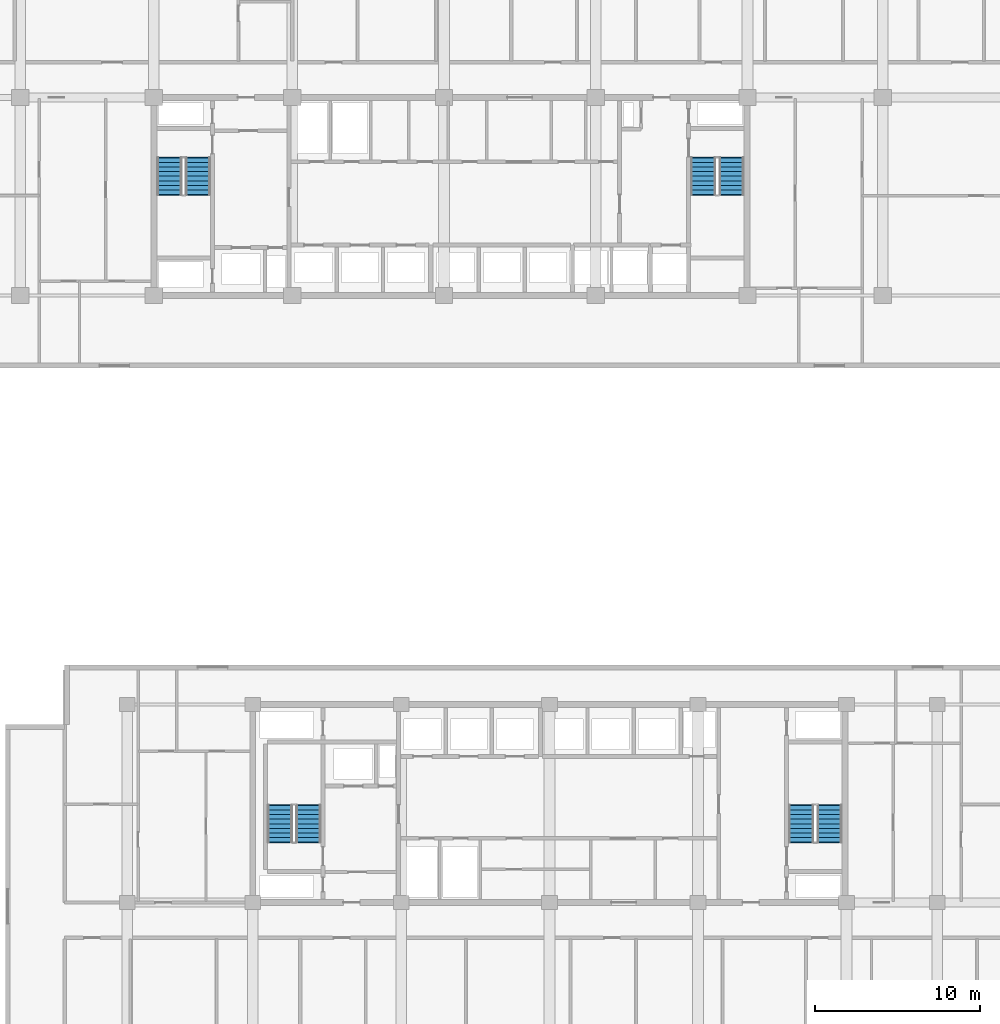
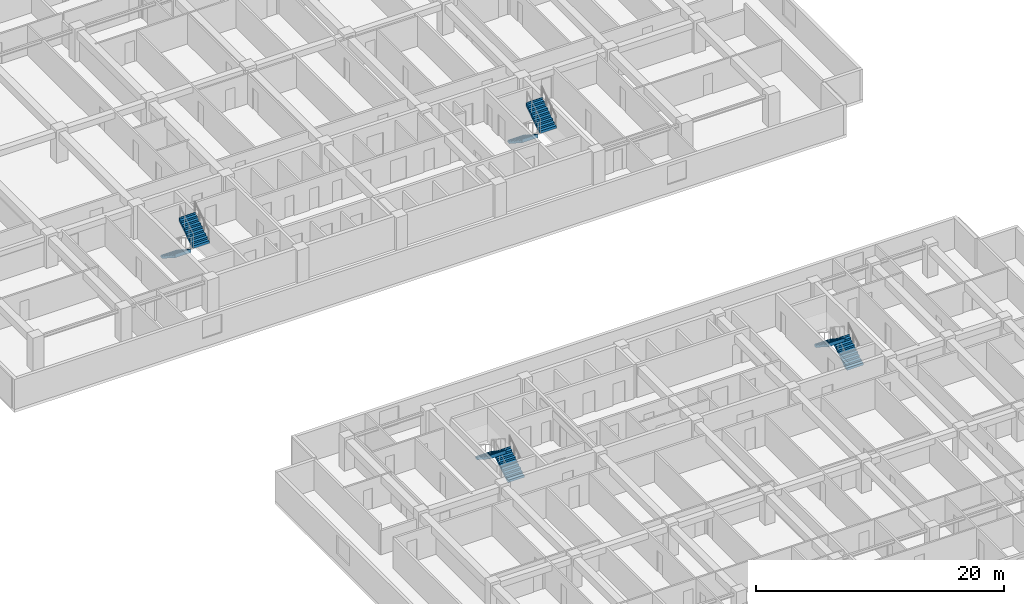
# One storey, part 18 of 23: 8 stair flights, 4 elements without a shape of their own.
"""IFC4 building model written with IfcOpenShell, lengths in metres."""

import ifcopenshell
import ifcopenshell.guid

model = None  # the IFC model being written
_history = None  # IfcOwnerHistory: only IFC2X3 demands one
_inside = {}  # id of a spatial element -> (the spatial element, [elements in it])
_under = {}  # id of a project, library or spatial element -> (it, [spatial elements below it])
_declared = {}  # id of a project -> (the project, [libraries it declares])
_typed = {}  # id of a type object -> (the type object, [elements of that type])
_made_of = {}  # id of a material, layer set ... -> (it, [elements and type objects made of it])


def new_model(schema):
    """Start an empty IFC model of exactly this schema.

    Asked for "IFC4X3", IfcOpenShell would pick the latest addendum, in which some entities
    have other attributes; the version numbers below select the first issue.
    IFC2X3 requires an IfcOwnerHistory on every rooted entity: one is made here for all.
    """
    global model, _history
    if schema == "IFC4X3":
        model = ifcopenshell.file(schema_version=(4, 3, 0, 0))
    else:
        model = ifcopenshell.file(schema=schema)
    _inside.clear()
    _under.clear()
    _declared.clear()
    _typed.clear()
    _made_of.clear()
    _history = None
    if model.schema == "IFC2X3":
        org = make("IfcOrganization", Name="unknown")
        user = make(
            "IfcPersonAndOrganization",
            ThePerson=make("IfcPerson", FamilyName="unknown"),
            TheOrganization=org,
        )
        app = make(
            "IfcApplication",
            ApplicationDeveloper=org,
            Version="unknown",
            ApplicationFullName="unknown",
            ApplicationIdentifier="unknown",
        )
        _history = make(
            "IfcOwnerHistory",
            OwningUser=user,
            OwningApplication=app,
            ChangeAction="ADDED",
            CreationDate=0,
        )
    return model


def make(cls, **values):
    """One entity of the class cls with the attributes given. An attribute that is None is left unset."""
    return model.create_entity(
        cls, **{name: value for name, value in values.items() if value is not None}
    )


def rooted(cls, **values):
    """An entity with a GlobalId (a new one), such as an element, a storey or a relation."""
    return make(cls, GlobalId=ifcopenshell.guid.new(), OwnerHistory=_history, **values)


def si_unit(unit_type, name, prefix=None):
    """IfcSIUnit, for example si_unit("LENGTHUNIT", "METRE", prefix="MILLI")."""
    return make("IfcSIUnit", UnitType=unit_type, Prefix=prefix, Name=name)


def assignment(units):
    """IfcUnitAssignment: the units of a project."""
    return None if units is None else make("IfcUnitAssignment", Units=units)


def point(xyz):
    """IfcCartesianPoint."""
    return None if xyz is None else make("IfcCartesianPoint", Coordinates=xyz)


def direction(xyz):
    """IfcDirection."""
    return None if xyz is None else make("IfcDirection", DirectionRatios=xyz)


def frame(location, z_axis=None, x_axis=None):
    """IfcAxis2Placement3D, a coordinate frame: its origin and axes. An axis left out is left unset."""
    return make(
        "IfcAxis2Placement3D",
        Location=point(location),
        Axis=direction(z_axis),
        RefDirection=direction(x_axis),
    )


def origin():
    """The frame at (0, 0, 0) with its axes left unset."""
    return frame((0.0, 0.0, 0.0))


def place(relative_to, where):
    """IfcLocalPlacement: puts the frame where relative to a parent placement (None: the world)."""
    return make(
        "IfcLocalPlacement", PlacementRelTo=relative_to, RelativePlacement=where
    )


def context(
    kind, dimensions, precision=None, world=None, true_north=None, identifier=None
):
    """IfcGeometricRepresentationContext, for example the 3D "Model" context."""
    return make(
        "IfcGeometricRepresentationContext",
        ContextIdentifier=identifier,
        ContextType=kind,
        CoordinateSpaceDimension=dimensions,
        Precision=precision,
        WorldCoordinateSystem=world,
        TrueNorth=true_north,
    )


def subcontext(parent, identifier, kind, view, scale=None):
    """IfcGeometricRepresentationSubContext, for example "Body" below "Model"."""
    return make(
        "IfcGeometricRepresentationSubContext",
        ContextIdentifier=identifier,
        ContextType=kind,
        ParentContext=parent,
        TargetScale=scale,
        TargetView=view,
    )


def project(units=None, contexts=None):
    """IfcProject with its units and contexts."""
    return rooted(
        "IfcProject",
        Name="project",
        RepresentationContexts=contexts,
        UnitsInContext=assignment(units),
    )


def spatial(cls, under=None, at=None, **own):
    """A site, building, storey or space (cls), placed at a placement, below another one or the project."""
    s = rooted(cls, ObjectPlacement=at, **own)
    if under is not None:
        _under.setdefault(under.id(), (under, []))[1].append(s)
    return s


def polyline(points):
    """IfcPolyline through the points."""
    return make("IfcPolyline", Points=[point(p) for p in points])


def outline(outer, holes=None, kind="AREA"):
    """IfcArbitraryClosedProfileDef: a profile drawn as a closed curve; with holes, ...WithVoids."""
    if holes is None:
        return make("IfcArbitraryClosedProfileDef", ProfileType=kind, OuterCurve=outer)
    return make(
        "IfcArbitraryProfileDefWithVoids",
        ProfileType=kind,
        OuterCurve=outer,
        InnerCurves=holes,
    )


def extrude(swept, where, along, depth):
    """IfcExtrudedAreaSolid: the profile swept, set in the frame where, extruded along a direction by depth."""
    return make(
        "IfcExtrudedAreaSolid",
        SweptArea=swept,
        Position=where,
        ExtrudedDirection=direction(along),
        Depth=depth,
    )


def shape(context_of_items, identifier, shape_type, items):
    """IfcShapeRepresentation: the items that make up one representation, for example the "Body"."""
    return make(
        "IfcShapeRepresentation",
        ContextOfItems=context_of_items,
        RepresentationIdentifier=identifier,
        RepresentationType=shape_type,
        Items=items,
    )


def material(Name=None, Category=None):
    """IfcMaterial."""
    return make("IfcMaterial", Name=Name, Category=Category)


def made_of(thing, what):
    """Note that an element or type object is made of a material, layer set ...; save() writes the relation."""
    if what is not None:
        _made_of.setdefault(what.id(), (what, []))[1].append(thing)
    return thing


def type_object(cls, material=None, **own):
    """A type object (cls), such as IfcWallType, which elements share."""
    return made_of(rooted(cls, **own), material)


def element(
    cls,
    number,
    at=None,
    inside=None,
    cuts=None,
    type_object=None,
    material=None,
    context=None,
    identifier="Body",
    shape_type=None,
    held_by="IfcProductDefinitionShape",
    body=None,
    shapes=None,
    **own,
):
    """One element of the class cls, such as IfcWall. Its Tag is "e" and its number.

    at: its placement. inside: the storey or other place that contains it. cuts: it is an
    opening in that element (IfcRelVoidsElement). A single representation is given by context,
    identifier, shape_type and body (its items); several are given by shapes. held_by: the class
    of the entity that holds the representations. save() writes the other relations.
    """
    e = rooted(cls, Tag="e%d" % number, ObjectPlacement=at, **own)
    if body is not None:
        shapes = [shape(context, identifier, shape_type, body)]
    if shapes is not None:
        e.Representation = make(held_by, Representations=shapes)
    if inside is not None:
        _inside.setdefault(inside.id(), (inside, []))[1].append(e)
    if cuts is not None:
        rooted(
            "IfcRelVoidsElement", RelatingBuildingElement=cuts, RelatedOpeningElement=e
        )
    if type_object is not None:
        _typed.setdefault(type_object.id(), (type_object, []))[1].append(e)
    return made_of(e, material)


def aggregate(whole, parts):
    """IfcRelAggregates: a whole, such as a stair, and the parts it consists of."""
    return rooted("IfcRelAggregates", RelatingObject=whole, RelatedObjects=parts)


def save(model, path):
    """Write the relations noted so far, then the file.

    IfcRelAggregates (storeys below a building ...), IfcRelContainedInSpatialStructure (elements
    in a storey), IfcRelDefinesByType, IfcRelAssociatesMaterial and IfcRelDeclares: one each for
    every whole, place, type object, material and project.
    """
    for whole, parts in _under.values():
        aggregate(whole, parts)
    for where, things in _inside.values():
        rooted(
            "IfcRelContainedInSpatialStructure",
            RelatedElements=things,
            RelatingStructure=where,
        )
    for kind, things in _typed.values():
        rooted("IfcRelDefinesByType", RelatedObjects=things, RelatingType=kind)
    for what, things in _made_of.values():
        rooted("IfcRelAssociatesMaterial", RelatedObjects=things, RelatingMaterial=what)
    for by, libraries in _declared.values():
        rooted("IfcRelDeclares", RelatingContext=by, RelatedDefinitions=libraries)
    model.write(path)


model = new_model("IFC4")

# Units and contexts
model_context = context("Model", 3, precision=1e-05, world=origin(), true_north=direction((0.0, 1.0)))
body_context = subcontext(model_context, "Body", "Model", "MODEL_VIEW")
ifc_project = project(units=[si_unit("LENGTHUNIT", "METRE"), si_unit("AREAUNIT", "SQUARE_METRE"), si_unit("VOLUMEUNIT", "CUBIC_METRE"), si_unit("PLANEANGLEUNIT", "RADIAN"), si_unit("MASSUNIT", "GRAM", prefix="KILO")], contexts=[model_context])

# Site, building, storey
site_placement = place(None, origin())
site = spatial("IfcSite", under=ifc_project, at=site_placement, CompositionType="ELEMENT")
building_placement = place(site_placement, origin())
building = spatial("IfcBuilding", under=site, at=building_placement, Name="Korimba Cascade Residences", CompositionType="ELEMENT")
storey_placement = place(building_placement, frame((0.0, 0.0, 40.25)))
storey = spatial("IfcBuildingStorey", under=building, at=storey_placement, Name="L10", CompositionType="ELEMENT", Elevation=40.25)

# Stair, stair flights
ifc_material = material(Name="Concrete C50/60", Category="concrete")
stair_type_1 = type_object("IfcStairType", Name="STR-W1-18R-1806", PredefinedType="HALF_TURN_STAIR", material=ifc_material)
stair_1_placement = place(storey_placement, origin())
stair_1 = element("IfcStair", 1, at=stair_1_placement, inside=storey, type_object=stair_type_1, Name="L10 Tower 1 West Fire Stair ST-W1", PredefinedType="HALF_TURN_STAIR")
stair_flight_type = type_object("IfcStairFlightType", Name="STF-DL-18R-1806-1520", PredefinedType="STRAIGHT", material=ifc_material)
stair_flight_1_placement = place(storey_placement, frame((77.06005859375, 63.550048828125, 0.0), z_axis=(0.0, 0.0, 1.0), x_axis=(0.0, -1.0, 0.0)))
stair_flight_1 = element("IfcStairFlight", 2, at=stair_flight_1_placement, type_object=stair_flight_type, Name="ST-W1 flight 1", NumberOfRisers=9, NumberOfTreads=8, PredefinedType="STRAIGHT", RiserHeight=0.180555556, TreadLength=0.28, context=body_context, shape_type="SweptSolid", body=[
    extrude(outline(polyline([(-0.0380859375, 0.0), (0.0, 0.1806640625), (0.280029296875, 0.1806640625), (0.280029296875, 0.361083984375), (0.56005859375, 0.361083984375), (0.56005859375, 0.541748046875), (0.840087890625, 0.541748046875), (0.840087890625, 0.72216796875), (1.1201171875, 0.72216796875), (1.1201171875, 0.90283203125), (1.39990234375, 0.90283203125), (1.39990234375, 1.083251953125), (1.679931640625, 1.083251953125), (1.679931640625, 1.263916015625), (1.9599609375, 1.263916015625), (1.9599609375, 1.4443359375), (2.239990234375, 1.4443359375), (2.239990234375, 1.625), (2.278076171875, 1.625), (2.278076171875, 1.26611328125), (0.276611328125, 0.0), (0.276611328125, -0.0380859375), (-0.0380859375, -0.0380859375), (-0.0380859375, 0.0)])), frame((0.0, 0.760009765625, 0.0), z_axis=(0.0, -1.0, 0.0), x_axis=(1.0, 0.0, 0.0)), (0.0, 0.0, 1.0), 1.52001953125),
])
stair_flight_2_placement = place(storey_placement, frame((78.780029296875, 61.31005859375, 1.625), z_axis=(0.0, 0.0, 1.0), x_axis=(0.0, 1.0, 0.0)))
stair_flight_2 = element("IfcStairFlight", 3, at=stair_flight_2_placement, type_object=stair_flight_type, Name="ST-W1 flight 2", NumberOfRisers=9, NumberOfTreads=8, PredefinedType="STRAIGHT", RiserHeight=0.180555556, TreadLength=0.28, context=body_context, shape_type="SweptSolid", body=[
    extrude(outline(polyline([(-0.0380859375, 0.0), (0.0, 0.1806640625), (0.280029296875, 0.1806640625), (0.280029296875, 0.361083984375), (0.56005859375, 0.361083984375), (0.56005859375, 0.541748046875), (0.840087890625, 0.541748046875), (0.840087890625, 0.72216796875), (1.1201171875, 0.72216796875), (1.1201171875, 0.90283203125), (1.39990234375, 0.90283203125), (1.39990234375, 1.083251953125), (1.679931640625, 1.083251953125), (1.679931640625, 1.263916015625), (1.9599609375, 1.263916015625), (1.9599609375, 1.4443359375), (2.239990234375, 1.4443359375), (2.239990234375, 1.625), (2.278076171875, 1.625), (2.278076171875, 1.26611328125), (0.276611328125, 0.0), (0.276611328125, -0.0380859375), (-0.0380859375, -0.0380859375), (-0.0380859375, 0.0)])), frame((0.0, 0.760009765625, 0.0), z_axis=(0.0, -1.0, 0.0), x_axis=(1.0, 0.0, 0.0)), (0.0, 0.0, 1.0), 1.52001953125),
])
aggregate(stair_1, [stair_flight_1, stair_flight_2])

stair_type_2 = type_object("IfcStairType", Name="STR-W2-18R-1806", PredefinedType="HALF_TURN_STAIR", material=ifc_material)
stair_2_placement = place(storey_placement, origin())
stair_2 = element("IfcStair", 4, at=stair_2_placement, inside=storey, type_object=stair_type_2, Name="L10 Tower 1 East Fire Stair ST-W2", PredefinedType="HALF_TURN_STAIR")
stair_flight_3_placement = place(storey_placement, frame((109.419921875, 63.550048828125, 0.0), z_axis=(0.0, 0.0, 1.0), x_axis=(0.0, -1.0, 0.0)))
stair_flight_3 = element("IfcStairFlight", 5, at=stair_flight_3_placement, type_object=stair_flight_type, Name="ST-W2 flight 1", NumberOfRisers=9, NumberOfTreads=8, PredefinedType="STRAIGHT", RiserHeight=0.180555556, TreadLength=0.28, context=body_context, shape_type="SweptSolid", body=[
    extrude(outline(polyline([(-0.0380859375, 0.0), (0.0, 0.1806640625), (0.280029296875, 0.1806640625), (0.280029296875, 0.361083984375), (0.56005859375, 0.361083984375), (0.56005859375, 0.541748046875), (0.840087890625, 0.541748046875), (0.840087890625, 0.72216796875), (1.1201171875, 0.72216796875), (1.1201171875, 0.90283203125), (1.39990234375, 0.90283203125), (1.39990234375, 1.083251953125), (1.679931640625, 1.083251953125), (1.679931640625, 1.263916015625), (1.9599609375, 1.263916015625), (1.9599609375, 1.4443359375), (2.239990234375, 1.4443359375), (2.239990234375, 1.625), (2.278076171875, 1.625), (2.278076171875, 1.26611328125), (0.276611328125, 0.0), (0.276611328125, -0.0380859375), (-0.0380859375, -0.0380859375), (-0.0380859375, 0.0)])), frame((0.0, 0.760009765625, 0.0), z_axis=(0.0, -1.0, 0.0), x_axis=(1.0, 0.0, 0.0)), (0.0, 0.0, 1.0), 1.52001953125),
])
stair_flight_4_placement = place(storey_placement, frame((111.139892578125, 61.31005859375, 1.625), z_axis=(0.0, 0.0, 1.0), x_axis=(0.0, 1.0, 0.0)))
stair_flight_4 = element("IfcStairFlight", 6, at=stair_flight_4_placement, type_object=stair_flight_type, Name="ST-W2 flight 2", NumberOfRisers=9, NumberOfTreads=8, PredefinedType="STRAIGHT", RiserHeight=0.180555556, TreadLength=0.28, context=body_context, shape_type="SweptSolid", body=[
    extrude(outline(polyline([(-0.0380859375, 0.0), (0.0, 0.1806640625), (0.280029296875, 0.1806640625), (0.280029296875, 0.361083984375), (0.56005859375, 0.361083984375), (0.56005859375, 0.541748046875), (0.840087890625, 0.541748046875), (0.840087890625, 0.72216796875), (1.1201171875, 0.72216796875), (1.1201171875, 0.90283203125), (1.39990234375, 0.90283203125), (1.39990234375, 1.083251953125), (1.679931640625, 1.083251953125), (1.679931640625, 1.263916015625), (1.9599609375, 1.263916015625), (1.9599609375, 1.4443359375), (2.239990234375, 1.4443359375), (2.239990234375, 1.625), (2.278076171875, 1.625), (2.278076171875, 1.26611328125), (0.276611328125, 0.0), (0.276611328125, -0.0380859375), (-0.0380859375, -0.0380859375), (-0.0380859375, 0.0)])), frame((0.0, 0.760009765625, 0.0), z_axis=(0.0, -1.0, 0.0), x_axis=(1.0, 0.0, 0.0)), (0.0, 0.0, 1.0), 1.52001953125),
])
aggregate(stair_2, [stair_flight_3, stair_flight_4])

stair_type_3 = type_object("IfcStairType", Name="STR-E1-18R-1806", PredefinedType="HALF_TURN_STAIR", material=ifc_material)
stair_3_placement = place(storey_placement, origin())
stair_3 = element("IfcStair", 7, at=stair_3_placement, inside=storey, type_object=stair_type_3, Name="L10 Tower 2 West Fire Stair ST-E1", PredefinedType="HALF_TURN_STAIR")
stair_flight_5_placement = place(storey_placement, frame((85.47998046875, 22.050048828125, 0.0), z_axis=(0.0, 0.0, 1.0), x_axis=(0.0, 1.0, 0.0)))
stair_flight_5 = element("IfcStairFlight", 8, at=stair_flight_5_placement, type_object=stair_flight_type, Name="ST-E1 flight 1", NumberOfRisers=9, NumberOfTreads=8, PredefinedType="STRAIGHT", RiserHeight=0.180555556, TreadLength=0.28, context=body_context, shape_type="SweptSolid", body=[
    extrude(outline(polyline([(-0.0380859375, 0.0), (0.0, 0.1806640625), (0.280029296875, 0.1806640625), (0.280029296875, 0.361083984375), (0.56005859375, 0.361083984375), (0.56005859375, 0.541748046875), (0.840087890625, 0.541748046875), (0.840087890625, 0.72216796875), (1.1201171875, 0.72216796875), (1.1201171875, 0.90283203125), (1.39990234375, 0.90283203125), (1.39990234375, 1.083251953125), (1.679931640625, 1.083251953125), (1.679931640625, 1.263916015625), (1.9599609375, 1.263916015625), (1.9599609375, 1.4443359375), (2.239990234375, 1.4443359375), (2.239990234375, 1.625), (2.278076171875, 1.625), (2.278076171875, 1.26611328125), (0.276611328125, 0.0), (0.276611328125, -0.0380859375), (-0.0380859375, -0.0380859375), (-0.0380859375, 0.0)])), frame((0.0, 0.760009765625, 0.0), z_axis=(0.0, -1.0, 0.0), x_axis=(1.0, 0.0, 0.0)), (0.0, 0.0, 1.0), 1.52001953125),
])
stair_flight_6_placement = place(storey_placement, frame((83.760009765625, 24.2900390625, 1.625), z_axis=(0.0, 0.0, 1.0), x_axis=(0.0, -1.0, 0.0)))
stair_flight_6 = element("IfcStairFlight", 9, at=stair_flight_6_placement, type_object=stair_flight_type, Name="ST-E1 flight 2", NumberOfRisers=9, NumberOfTreads=8, PredefinedType="STRAIGHT", RiserHeight=0.180555556, TreadLength=0.28, context=body_context, shape_type="SweptSolid", body=[
    extrude(outline(polyline([(-0.0380859375, 0.0), (0.0, 0.1806640625), (0.280029296875, 0.1806640625), (0.280029296875, 0.361083984375), (0.56005859375, 0.361083984375), (0.56005859375, 0.541748046875), (0.840087890625, 0.541748046875), (0.840087890625, 0.72216796875), (1.1201171875, 0.72216796875), (1.1201171875, 0.90283203125), (1.39990234375, 0.90283203125), (1.39990234375, 1.083251953125), (1.679931640625, 1.083251953125), (1.679931640625, 1.263916015625), (1.9599609375, 1.263916015625), (1.9599609375, 1.4443359375), (2.239990234375, 1.4443359375), (2.239990234375, 1.625), (2.278076171875, 1.625), (2.278076171875, 1.26611328125), (0.276611328125, 0.0), (0.276611328125, -0.0380859375), (-0.0380859375, -0.0380859375), (-0.0380859375, 0.0)])), frame((0.0, 0.760009765625, 0.0), z_axis=(0.0, -1.0, 0.0), x_axis=(1.0, 0.0, 0.0)), (0.0, 0.0, 1.0), 1.52001953125),
])
aggregate(stair_3, [stair_flight_5, stair_flight_6])

stair_type_4 = type_object("IfcStairType", Name="STR-E2-18R-1806", PredefinedType="HALF_TURN_STAIR", material=ifc_material)
stair_4_placement = place(storey_placement, origin())
stair_4 = element("IfcStair", 10, at=stair_4_placement, inside=storey, type_object=stair_type_4, Name="L10 Tower 2 East Fire Stair ST-E2", PredefinedType="HALF_TURN_STAIR")
stair_flight_7_placement = place(storey_placement, frame((117.080078125, 22.050048828125, 0.0), z_axis=(0.0, 0.0, 1.0), x_axis=(0.0, 1.0, 0.0)))
stair_flight_7 = element("IfcStairFlight", 11, at=stair_flight_7_placement, type_object=stair_flight_type, Name="ST-E2 flight 1", NumberOfRisers=9, NumberOfTreads=8, PredefinedType="STRAIGHT", RiserHeight=0.180555556, TreadLength=0.28, context=body_context, shape_type="SweptSolid", body=[
    extrude(outline(polyline([(-0.0380859375, 0.0), (0.0, 0.1806640625), (0.280029296875, 0.1806640625), (0.280029296875, 0.361083984375), (0.56005859375, 0.361083984375), (0.56005859375, 0.541748046875), (0.840087890625, 0.541748046875), (0.840087890625, 0.72216796875), (1.1201171875, 0.72216796875), (1.1201171875, 0.90283203125), (1.39990234375, 0.90283203125), (1.39990234375, 1.083251953125), (1.679931640625, 1.083251953125), (1.679931640625, 1.263916015625), (1.9599609375, 1.263916015625), (1.9599609375, 1.4443359375), (2.239990234375, 1.4443359375), (2.239990234375, 1.625), (2.278076171875, 1.625), (2.278076171875, 1.26611328125), (0.276611328125, 0.0), (0.276611328125, -0.0380859375), (-0.0380859375, -0.0380859375), (-0.0380859375, 0.0)])), frame((0.0, 0.760009765625, 0.0), z_axis=(0.0, -1.0, 0.0), x_axis=(1.0, 0.0, 0.0)), (0.0, 0.0, 1.0), 1.52001953125),
])
stair_flight_8_placement = place(storey_placement, frame((115.360107421875, 24.2900390625, 1.625), z_axis=(0.0, 0.0, 1.0), x_axis=(0.0, -1.0, 0.0)))
stair_flight_8 = element("IfcStairFlight", 12, at=stair_flight_8_placement, type_object=stair_flight_type, Name="ST-E2 flight 2", NumberOfRisers=9, NumberOfTreads=8, PredefinedType="STRAIGHT", RiserHeight=0.180555556, TreadLength=0.28, context=body_context, shape_type="SweptSolid", body=[
    extrude(outline(polyline([(-0.0380859375, 0.0), (0.0, 0.1806640625), (0.280029296875, 0.1806640625), (0.280029296875, 0.361083984375), (0.56005859375, 0.361083984375), (0.56005859375, 0.541748046875), (0.840087890625, 0.541748046875), (0.840087890625, 0.72216796875), (1.1201171875, 0.72216796875), (1.1201171875, 0.90283203125), (1.39990234375, 0.90283203125), (1.39990234375, 1.083251953125), (1.679931640625, 1.083251953125), (1.679931640625, 1.263916015625), (1.9599609375, 1.263916015625), (1.9599609375, 1.4443359375), (2.239990234375, 1.4443359375), (2.239990234375, 1.625), (2.278076171875, 1.625), (2.278076171875, 1.26611328125), (0.276611328125, 0.0), (0.276611328125, -0.0380859375), (-0.0380859375, -0.0380859375), (-0.0380859375, 0.0)])), frame((0.0, 0.760009765625, 0.0), z_axis=(0.0, -1.0, 0.0), x_axis=(1.0, 0.0, 0.0)), (0.0, 0.0, 1.0), 1.52001953125),
])
aggregate(stair_4, [stair_flight_7, stair_flight_8])

save(model, "model.ifc")
